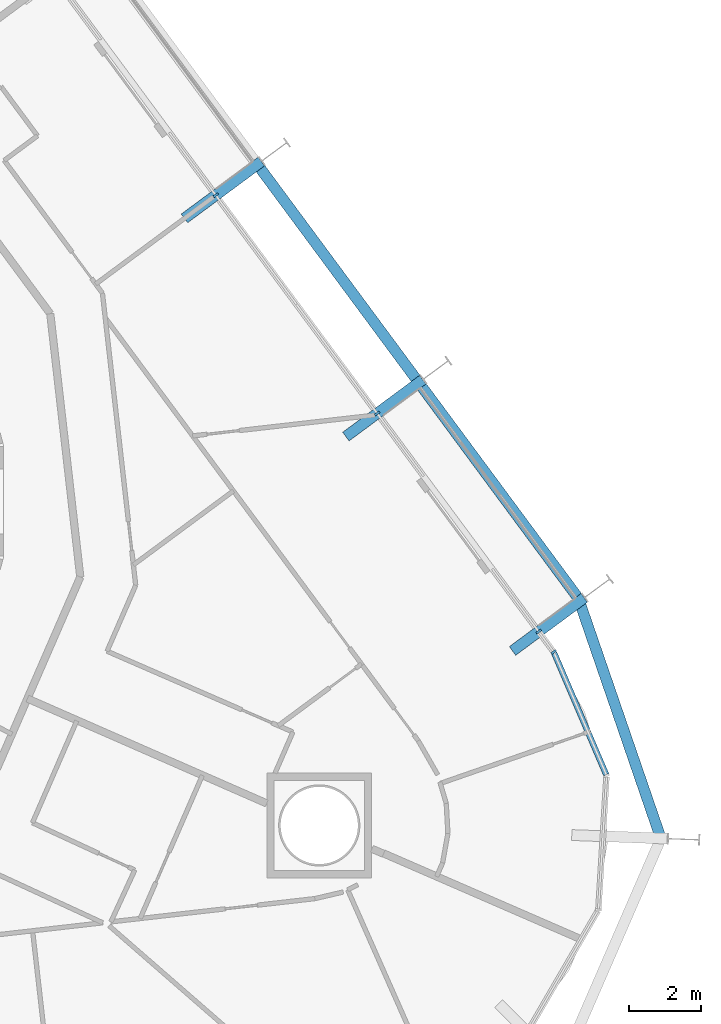
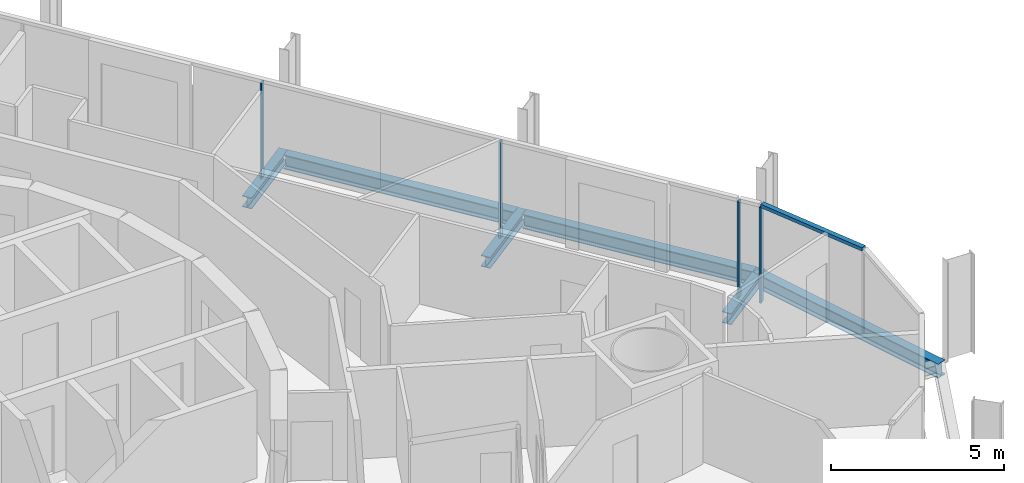
# One storey, part 8 of 24: 6 beams, 5 members, 2 elements without a shape of their own.
"""IFC4 building model written with IfcOpenShell, lengths in metres."""

from ifc_helpers import new_model, si_unit, direction, frame, origin, origin_2d, place, context, subcontext, project, spatial, rectangle, i_section, extrude, material, layer, layer_set, material_profile, profile_set, type_object, element, aggregate, save


model = new_model("IFC4")

# Units and contexts
model_context = context("Model", 3, precision=1e-05, world=origin(), true_north=direction((0.0, 1.0)))
body_context = subcontext(model_context, "Body", "Model", "MODEL_VIEW")
ifc_project = project(units=[si_unit("LENGTHUNIT", "METRE"), si_unit("AREAUNIT", "SQUARE_METRE"), si_unit("VOLUMEUNIT", "CUBIC_METRE"), si_unit("PLANEANGLEUNIT", "RADIAN"), si_unit("MASSUNIT", "GRAM", prefix="KILO")], contexts=[model_context])

# Site, building, storey
site_placement = place(None, origin())
site = spatial("IfcSite", under=ifc_project, at=site_placement, CompositionType="ELEMENT")
building_placement = place(site_placement, origin())
building = spatial("IfcBuilding", under=site, at=building_placement, Name="Spindle Arch Residences", CompositionType="ELEMENT")
storey_placement = place(building_placement, frame((0.0, 0.0, 101.199951171875)))
storey = spatial("IfcBuildingStorey", under=building, at=storey_placement, Name="L24", CompositionType="ELEMENT", Elevation=101.199951171875)

# Curtain wall, member
ifc_material_1 = material(Name="Aluminium bronze unitised frame with tinted glass", Category="aluminium")
ifc_layer_1 = layer(ifc_material_1, 0.159912109375)
ifc_layer_set_1 = layer_set([ifc_layer_1], Name="CW-D corner wall on the fillet arcs")
curtain_wall_type_1 = type_object("IfcCurtainWallType", Name="CW-D corner wall on the fillet arcs", PredefinedType="NOTDEFINED", material=ifc_layer_set_1)
curtain_wall_1_placement = place(storey_placement, origin())
curtain_wall_1 = element("IfcCurtainWall", 1, at=curtain_wall_1_placement, inside=storey, type_object=curtain_wall_type_1, Name="CW-D L24 run 1", PredefinedType="NOTDEFINED")
ifc_material_2 = material(Name="Aluminium bronze anodised mullion", Category="aluminium")
ifc_material_profile_1 = material_profile(ifc_material_2, rectangle(XDim=0.159912109375, YDim=0.06005859375, at=origin_2d()), Name="MU 60x160")
ifc_profile_set_1 = profile_set([ifc_material_profile_1], Name="Aluminium bronze anodised mullion")
member_type_1 = type_object("IfcMemberType", Name="Bronze mullion 60x160", PredefinedType="MULLION", material=ifc_profile_set_1)
member_1_placement = place(storey_placement, frame((27.142822265625, -4.171630859375, -0.3798828125), z_axis=(0.0, 0.0, 1.0), x_axis=(-0.803856860617, -0.594822786751, 0.0)))
member_1 = element("IfcMember", 2, at=member_1_placement, type_object=member_type_1, Name="CW-D mullion 05", PredefinedType="MULLION", context=body_context, shape_type="SweptSolid", body=[
    extrude(rectangle(XDim=0.159912109375, YDim=0.06005859375, at=origin_2d()), origin(), (0.0, 0.0, 1.0), 3.3798828125),
])

# Curtain wall, members
ifc_material_3 = material(Name="Aluminium bronze unitised frame with tinted glass", Category="aluminium")
ifc_layer_2 = layer(ifc_material_3, 0.159912109375)
ifc_layer_set_2 = layer_set([ifc_layer_2], Name="CW-C typical residential unitised wall")
curtain_wall_type_2 = type_object("IfcCurtainWallType", Name="CW-C typical residential unitised wall", PredefinedType="NOTDEFINED", material=ifc_layer_set_2)
curtain_wall_2_placement = place(storey_placement, origin())
curtain_wall_2 = element("IfcCurtainWall", 3, at=curtain_wall_2_placement, inside=storey, type_object=curtain_wall_type_2, Name="CW-C L24 run 2", PredefinedType="NOTDEFINED")
member_2_placement = place(storey_placement, frame((26.7255859375, -3.607666015625, -0.3798828125), z_axis=(0.0, 0.0, 1.0), x_axis=(-0.803856860617, -0.594822786751, 0.0)))
member_2 = element("IfcMember", 4, at=member_2_placement, type_object=member_type_1, Name="CW-C mullion 05", PredefinedType="MULLION", context=body_context, shape_type="SweptSolid", body=[
    extrude(rectangle(XDim=0.159912109375, YDim=0.06005859375, at=origin_2d()), origin(), (0.0, 0.0, 1.0), 3.3798828125),
])
member_3_placement = place(storey_placement, frame((22.253173828125, 2.436279296875, -0.3798828125), z_axis=(0.0, 0.0, 1.0), x_axis=(-0.803856860617, -0.594822786751, 0.0)))
member_3 = element("IfcMember", 5, at=member_3_placement, type_object=member_type_1, Name="CW-C mullion 06", PredefinedType="MULLION", context=body_context, shape_type="SweptSolid", body=[
    extrude(rectangle(XDim=0.159912109375, YDim=0.06005859375, at=origin_2d()), origin(), (0.0, 0.0, 1.0), 3.3798828125),
])
member_4_placement = place(storey_placement, frame((17.78076171875, 8.48046875, -0.3798828125), z_axis=(0.0, 0.0, 1.0), x_axis=(-0.803856860617, -0.594822786751, 0.0)))
member_4 = element("IfcMember", 6, at=member_4_placement, type_object=member_type_1, Name="CW-C mullion 07", PredefinedType="MULLION", context=body_context, shape_type="SweptSolid", body=[
    extrude(rectangle(XDim=0.159912109375, YDim=0.06005859375, at=origin_2d()), origin(), (0.0, 0.0, 1.0), 3.3798828125),
])
aggregate(curtain_wall_2, [member_2, member_3, member_4])

# Member
ifc_material_4 = material(Name="Aluminium bronze anodised transom", Category="aluminium")
ifc_material_profile_2 = material_profile(ifc_material_4, rectangle(XDim=0.159912109375, YDim=0.1201171875, at=origin_2d()), Name="TR 120x160")
ifc_profile_set_2 = profile_set([ifc_material_profile_2], Name="Aluminium bronze anodised transom")
member_type_2 = type_object("IfcMemberType", Name="Bronze transom 120x160", PredefinedType="USERDEFINED", material=ifc_profile_set_2)
member_5_placement = place(storey_placement, frame((28.59716796875, -7.5703125, 3.06005859375), z_axis=(-0.393429066236, 0.919354974882, 0.0), x_axis=(-0.919354974882, -0.393429066236, 0.0)))
member_5 = element("IfcMember", 7, at=member_5_placement, type_object=member_type_2, Name="CW-D transom 04", ObjectType="TRANSOM", PredefinedType="USERDEFINED", context=body_context, shape_type="SweptSolid", body=[
    extrude(rectangle(XDim=0.159912109375, YDim=0.1201171875, at=origin_2d()), origin(), (0.0, 0.0, 1.0), 3.666748046875),
])

aggregate(curtain_wall_1, [member_5, member_1])

# Beams
ifc_material_5 = material(Name="Steel S460ML, intumescent coating R 120", Category="steel")
ifc_material_profile_3 = material_profile(ifc_material_5, i_section(OverallWidth=0.300048828125, OverallDepth=0.5, WebThickness=0.014404296875, FlangeThickness=0.028076171875, FilletRadius=0.027099609375, at=origin_2d()), Name="HEB 500")
ifc_profile_set_3 = profile_set([ifc_material_profile_3], Name="Steel S460ML, intumescent coating R 120")
beam_type_1 = type_object("IfcBeamType", Name="Exoskeleton edge beam HEB 500", PredefinedType="BEAM", material=ifc_profile_set_3)
beam_1_placement = place(storey_placement, frame((30.13720703125, -9.4111328125, -0.6298828125), z_axis=(-0.325113431361, 0.94567502703, 0.0), x_axis=(-0.94567502703, -0.325113431361, 0.0)))
element("IfcBeam", 8, at=beam_1_placement, inside=storey, type_object=beam_type_1, Name="Exoskeleton edge beam 5", PredefinedType="BEAM", context=body_context, shape_type="SweptSolid", body=[
    extrude(i_section(OverallWidth=0.300048828125, OverallDepth=0.5, WebThickness=0.014404296875, FlangeThickness=0.028076171875, FilletRadius=0.027099609375, at=origin_2d()), origin(), (0.0, 0.0, 1.0), 7.09423828125),
])
for number, where, z_axis, x_axis, name in (
    (9, (27.800048828125, -2.65087890625, -0.6298828125), (-0.594821272041, 0.803857981441, 0.0), (-0.803857981441, -0.594821272041, 0.0), "Exoskeleton edge beam 6"),
    (10, (23.32763671875, 3.393310546875, -0.6298828125), (-0.594821272041, 0.803857981441, 0.0), (-0.803857981441, -0.594821272041, 0.0), "Exoskeleton edge beam 7"),
):
    element("IfcBeam", number, at=place(storey_placement, frame(where, z_axis=z_axis, x_axis=x_axis)), inside=storey, type_object=beam_type_1, Name=name, PredefinedType="BEAM", context=body_context, shape_type="SweptSolid", body=[
        extrude(i_section(OverallWidth=0.300048828125, OverallDepth=0.5, WebThickness=0.014404296875, FlangeThickness=0.028076171875, FilletRadius=0.027099609375, at=origin_2d()), origin(), (0.0, 0.0, 1.0), 7.2587890625),
    ])
ifc_material_6 = material(Name="Steel S460ML, intumescent coating R 120", Category="steel")
ifc_material_profile_4 = material_profile(ifc_material_6, i_section(OverallWidth=0.300048828125, OverallDepth=0.389892578125, WebThickness=0.010986328125, FlangeThickness=0.01904296875, FilletRadius=0.027099609375, at=origin_2d()), Name="HEA 400")
ifc_profile_set_4 = profile_set([ifc_material_profile_4], Name="Steel S460ML, intumescent coating R 120")
beam_type_2 = type_object("IfcBeamType", Name="Floor outrigger HEA 400", PredefinedType="BEAM", material=ifc_profile_set_4)
beam_2_placement = place(storey_placement, frame((27.987548828125, -2.673828125, -0.574951171875), z_axis=(-0.803824891941, -0.59486598751, 0.0), x_axis=(0.59486598751, -0.803824891941, 0.0)))
element("IfcBeam", 11, at=beam_2_placement, inside=storey, type_object=beam_type_2, Name="Floor outrigger 6", PredefinedType="BEAM", context=body_context, shape_type="SweptSolid", body=[
    extrude(i_section(OverallWidth=0.300048828125, OverallDepth=0.389892578125, WebThickness=0.010986328125, FlangeThickness=0.01904296875, FilletRadius=0.027099609375, at=origin_2d()), origin(), (0.0, 0.0, 1.0), 2.47119140625),
])
beam_3_placement = place(storey_placement, frame((23.51513671875, 3.3701171875, -0.574951171875), z_axis=(-0.803863925893, -0.59481323846, 0.0), x_axis=(0.59481323846, -0.803863925893, 0.0)))
element("IfcBeam", 12, at=beam_3_placement, inside=storey, type_object=beam_type_2, Name="Floor outrigger 7", PredefinedType="BEAM", context=body_context, shape_type="SweptSolid", body=[
    extrude(i_section(OverallWidth=0.300048828125, OverallDepth=0.389892578125, WebThickness=0.010986328125, FlangeThickness=0.01904296875, FilletRadius=0.027099609375, at=origin_2d()), origin(), (0.0, 0.0, 1.0), 2.64990234375),
])
beam_4_placement = place(storey_placement, frame((19.04296875, 9.414306640625, -0.574951171875), z_axis=(-0.80385247079, -0.594828719217, 0.0), x_axis=(0.594828719217, -0.80385247079, 0.0)))
element("IfcBeam", 13, at=beam_4_placement, inside=storey, type_object=beam_type_2, Name="Floor outrigger 8", PredefinedType="BEAM", context=body_context, shape_type="SweptSolid", body=[
    extrude(i_section(OverallWidth=0.300048828125, OverallDepth=0.389892578125, WebThickness=0.010986328125, FlangeThickness=0.01904296875, FilletRadius=0.027099609375, at=origin_2d()), origin(), (0.0, 0.0, 1.0), 2.650146484375),
])

save(model, "model.ifc")
